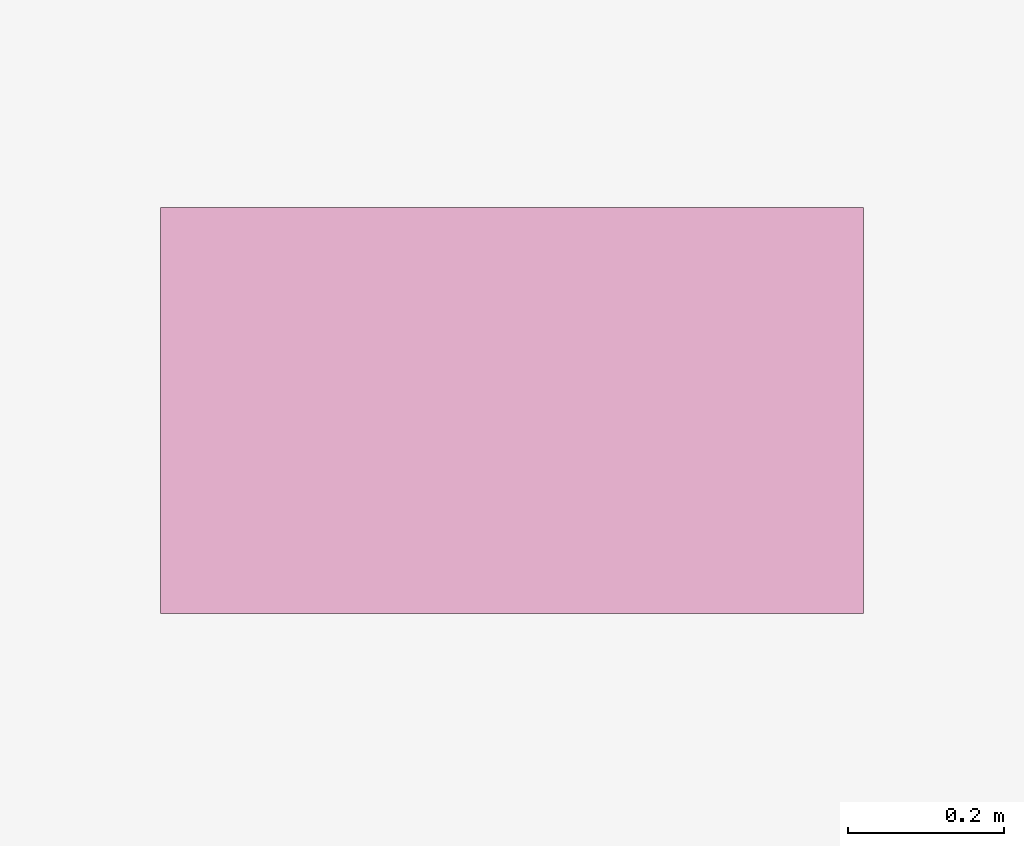
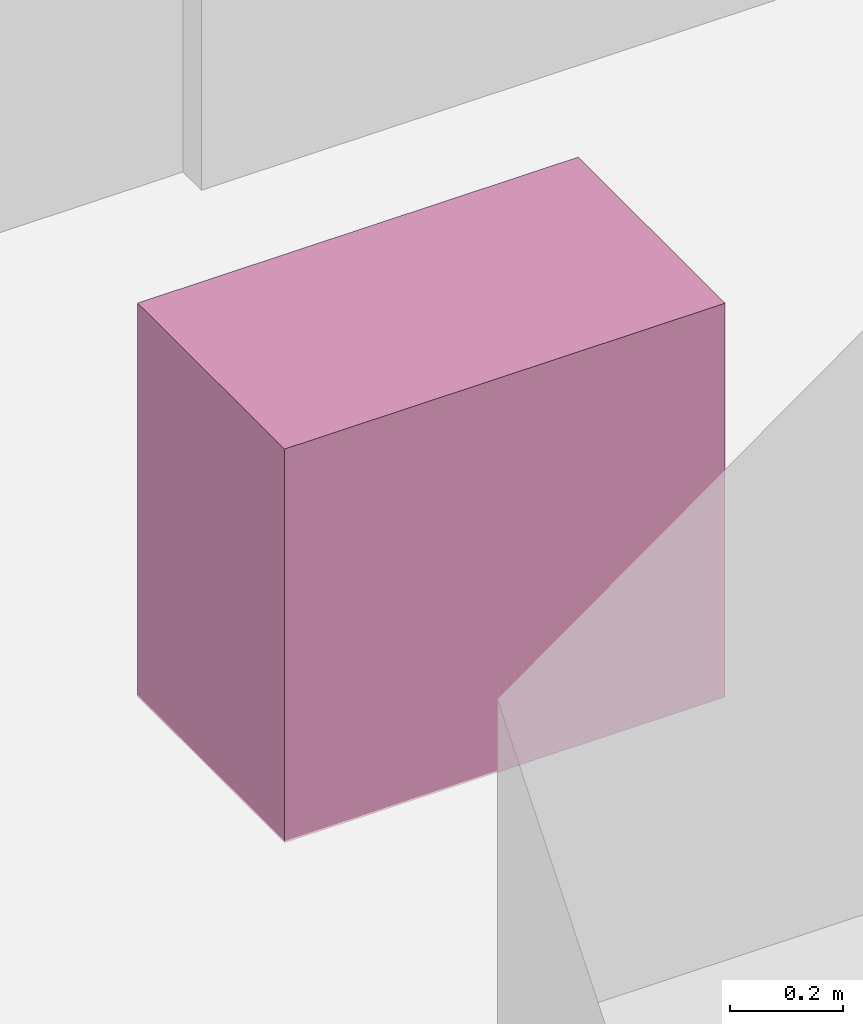
# One storey, part 30 of 30: 1 furnishing.
"""IFC4 building model written with IfcOpenShell, lengths in metres."""

import ifcopenshell
import ifcopenshell.guid

model = None  # the IFC model being written
_history = None  # IfcOwnerHistory: only IFC2X3 demands one
_inside = {}  # id of a spatial element -> (the spatial element, [elements in it])
_under = {}  # id of a project, library or spatial element -> (it, [spatial elements below it])
_declared = {}  # id of a project -> (the project, [libraries it declares])
_typed = {}  # id of a type object -> (the type object, [elements of that type])
_made_of = {}  # id of a material, layer set ... -> (it, [elements and type objects made of it])


def new_model(schema):
    """Start an empty IFC model of exactly this schema.

    Asked for "IFC4X3", IfcOpenShell would pick the latest addendum, in which some entities
    have other attributes; the version numbers below select the first issue.
    IFC2X3 requires an IfcOwnerHistory on every rooted entity: one is made here for all.
    """
    global model, _history
    if schema == "IFC4X3":
        model = ifcopenshell.file(schema_version=(4, 3, 0, 0))
    else:
        model = ifcopenshell.file(schema=schema)
    _inside.clear()
    _under.clear()
    _declared.clear()
    _typed.clear()
    _made_of.clear()
    _history = None
    if model.schema == "IFC2X3":
        org = make("IfcOrganization", Name="unknown")
        user = make(
            "IfcPersonAndOrganization",
            ThePerson=make("IfcPerson", FamilyName="unknown"),
            TheOrganization=org,
        )
        app = make(
            "IfcApplication",
            ApplicationDeveloper=org,
            Version="unknown",
            ApplicationFullName="unknown",
            ApplicationIdentifier="unknown",
        )
        _history = make(
            "IfcOwnerHistory",
            OwningUser=user,
            OwningApplication=app,
            ChangeAction="ADDED",
            CreationDate=0,
        )
    return model


def make(cls, **values):
    """One entity of the class cls with the attributes given. An attribute that is None is left unset."""
    return model.create_entity(
        cls, **{name: value for name, value in values.items() if value is not None}
    )


def rooted(cls, **values):
    """An entity with a GlobalId (a new one), such as an element, a storey or a relation."""
    return make(cls, GlobalId=ifcopenshell.guid.new(), OwnerHistory=_history, **values)


def si_unit(unit_type, name, prefix=None):
    """IfcSIUnit, for example si_unit("LENGTHUNIT", "METRE", prefix="MILLI")."""
    return make("IfcSIUnit", UnitType=unit_type, Prefix=prefix, Name=name)


def assignment(units):
    """IfcUnitAssignment: the units of a project."""
    return None if units is None else make("IfcUnitAssignment", Units=units)


def point(xyz):
    """IfcCartesianPoint."""
    return None if xyz is None else make("IfcCartesianPoint", Coordinates=xyz)


def direction(xyz):
    """IfcDirection."""
    return None if xyz is None else make("IfcDirection", DirectionRatios=xyz)


def frame(location, z_axis=None, x_axis=None):
    """IfcAxis2Placement3D, a coordinate frame: its origin and axes. An axis left out is left unset."""
    return make(
        "IfcAxis2Placement3D",
        Location=point(location),
        Axis=direction(z_axis),
        RefDirection=direction(x_axis),
    )


def frame_2d(location, x_axis=None):
    """IfcAxis2Placement2D, a coordinate frame in the plane: its origin and x axis."""
    return make(
        "IfcAxis2Placement2D", Location=point(location), RefDirection=direction(x_axis)
    )


def origin():
    """The frame at (0, 0, 0) with its axes left unset."""
    return frame((0.0, 0.0, 0.0))


def origin_2d():
    """The frame at (0, 0) in the plane with its x axis left unset."""
    return frame_2d((0.0, 0.0))


def place(relative_to, where):
    """IfcLocalPlacement: puts the frame where relative to a parent placement (None: the world)."""
    return make(
        "IfcLocalPlacement", PlacementRelTo=relative_to, RelativePlacement=where
    )


def context(
    kind, dimensions, precision=None, world=None, true_north=None, identifier=None
):
    """IfcGeometricRepresentationContext, for example the 3D "Model" context."""
    return make(
        "IfcGeometricRepresentationContext",
        ContextIdentifier=identifier,
        ContextType=kind,
        CoordinateSpaceDimension=dimensions,
        Precision=precision,
        WorldCoordinateSystem=world,
        TrueNorth=true_north,
    )


def subcontext(parent, identifier, kind, view, scale=None):
    """IfcGeometricRepresentationSubContext, for example "Body" below "Model"."""
    return make(
        "IfcGeometricRepresentationSubContext",
        ContextIdentifier=identifier,
        ContextType=kind,
        ParentContext=parent,
        TargetScale=scale,
        TargetView=view,
    )


def project(units=None, contexts=None):
    """IfcProject with its units and contexts."""
    return rooted(
        "IfcProject",
        Name="project",
        RepresentationContexts=contexts,
        UnitsInContext=assignment(units),
    )


def spatial(cls, under=None, at=None, **own):
    """A site, building, storey or space (cls), placed at a placement, below another one or the project."""
    s = rooted(cls, ObjectPlacement=at, **own)
    if under is not None:
        _under.setdefault(under.id(), (under, []))[1].append(s)
    return s


def profile(cls, at=None, kind="AREA", **sizes):
    """A parametric profile (cls). Its sizes go by their IFC names, for example OverallWidth=200.0."""
    return make(cls, ProfileType=kind, Position=at, **sizes)


def rectangle(**sizes):
    """IfcRectangleProfileDef."""
    return profile("IfcRectangleProfileDef", **sizes)


def extrude(swept, where, along, depth):
    """IfcExtrudedAreaSolid: the profile swept, set in the frame where, extruded along a direction by depth."""
    return make(
        "IfcExtrudedAreaSolid",
        SweptArea=swept,
        Position=where,
        ExtrudedDirection=direction(along),
        Depth=depth,
    )


def shape(context_of_items, identifier, shape_type, items):
    """IfcShapeRepresentation: the items that make up one representation, for example the "Body"."""
    return make(
        "IfcShapeRepresentation",
        ContextOfItems=context_of_items,
        RepresentationIdentifier=identifier,
        RepresentationType=shape_type,
        Items=items,
    )


def material(Name=None, Category=None):
    """IfcMaterial."""
    return make("IfcMaterial", Name=Name, Category=Category)


def made_of(thing, what):
    """Note that an element or type object is made of a material, layer set ...; save() writes the relation."""
    if what is not None:
        _made_of.setdefault(what.id(), (what, []))[1].append(thing)
    return thing


def type_object(cls, material=None, **own):
    """A type object (cls), such as IfcWallType, which elements share."""
    return made_of(rooted(cls, **own), material)


def element(
    cls,
    number,
    at=None,
    inside=None,
    cuts=None,
    type_object=None,
    material=None,
    context=None,
    identifier="Body",
    shape_type=None,
    held_by="IfcProductDefinitionShape",
    body=None,
    shapes=None,
    **own,
):
    """One element of the class cls, such as IfcWall. Its Tag is "e" and its number.

    at: its placement. inside: the storey or other place that contains it. cuts: it is an
    opening in that element (IfcRelVoidsElement). A single representation is given by context,
    identifier, shape_type and body (its items); several are given by shapes. held_by: the class
    of the entity that holds the representations. save() writes the other relations.
    """
    e = rooted(cls, Tag="e%d" % number, ObjectPlacement=at, **own)
    if body is not None:
        shapes = [shape(context, identifier, shape_type, body)]
    if shapes is not None:
        e.Representation = make(held_by, Representations=shapes)
    if inside is not None:
        _inside.setdefault(inside.id(), (inside, []))[1].append(e)
    if cuts is not None:
        rooted(
            "IfcRelVoidsElement", RelatingBuildingElement=cuts, RelatedOpeningElement=e
        )
    if type_object is not None:
        _typed.setdefault(type_object.id(), (type_object, []))[1].append(e)
    return made_of(e, material)


def aggregate(whole, parts):
    """IfcRelAggregates: a whole, such as a stair, and the parts it consists of."""
    return rooted("IfcRelAggregates", RelatingObject=whole, RelatedObjects=parts)


def save(model, path):
    """Write the relations noted so far, then the file.

    IfcRelAggregates (storeys below a building ...), IfcRelContainedInSpatialStructure (elements
    in a storey), IfcRelDefinesByType, IfcRelAssociatesMaterial and IfcRelDeclares: one each for
    every whole, place, type object, material and project.
    """
    for whole, parts in _under.values():
        aggregate(whole, parts)
    for where, things in _inside.values():
        rooted(
            "IfcRelContainedInSpatialStructure",
            RelatedElements=things,
            RelatingStructure=where,
        )
    for kind, things in _typed.values():
        rooted("IfcRelDefinesByType", RelatedObjects=things, RelatingType=kind)
    for what, things in _made_of.values():
        rooted("IfcRelAssociatesMaterial", RelatedObjects=things, RelatingMaterial=what)
    for by, libraries in _declared.values():
        rooted("IfcRelDeclares", RelatingContext=by, RelatedDefinitions=libraries)
    model.write(path)


model = new_model("IFC4")

# Units and contexts
model_context = context("Model", 3, precision=1e-05, world=origin(), true_north=direction((0.0, 1.0)))
body_context = subcontext(model_context, "Body", "Model", "MODEL_VIEW")
ifc_project = project(units=[si_unit("LENGTHUNIT", "METRE"), si_unit("AREAUNIT", "SQUARE_METRE"), si_unit("VOLUMEUNIT", "CUBIC_METRE"), si_unit("PLANEANGLEUNIT", "RADIAN"), si_unit("MASSUNIT", "GRAM", prefix="KILO")], contexts=[model_context])

# Site, building, storey
site_placement = place(None, origin())
site = spatial("IfcSite", under=ifc_project, at=site_placement, CompositionType="ELEMENT")
building_placement = place(site_placement, origin())
building = spatial("IfcBuilding", under=site, at=building_placement, Name="Vorneva Point Tower", CompositionType="ELEMENT")
storey_placement = place(building_placement, frame((0.0, 0.0, 92.800048828125)))
storey = spatial("IfcBuildingStorey", under=building, at=storey_placement, Name="L24", CompositionType="ELEMENT", Elevation=92.800048828125)

# Furnishing
ifc_material = material(Name="Vitreous china and granite top", Category="masonry")
furniture_type = type_object("IfcFurnitureType", Name="FUR-VAN-900", AssemblyPlace="NOTDEFINED", PredefinedType="NOTDEFINED", material=ifc_material)
furnishing_placement = place(storey_placement, frame((35.425048828125, 32.1201171875, -0.005126953125), z_axis=(0.0, 0.0, 1.0), x_axis=(1.0, 0.0, 0.0)))
element("IfcFurnishingElement", 1, at=furnishing_placement, inside=storey, type_object=furniture_type, Name="L24 Accessible WC Vanity Unit", ObjectType="L24 Accessible WC Vanity Unit", context=body_context, shape_type="SweptSolid", body=[
    extrude(rectangle(XDim=0.89990234375, YDim=0.52001953125, at=origin_2d()), origin(), (0.0, 0.0, 1.0), 0.85009765625),
])

save(model, "model.ifc")
